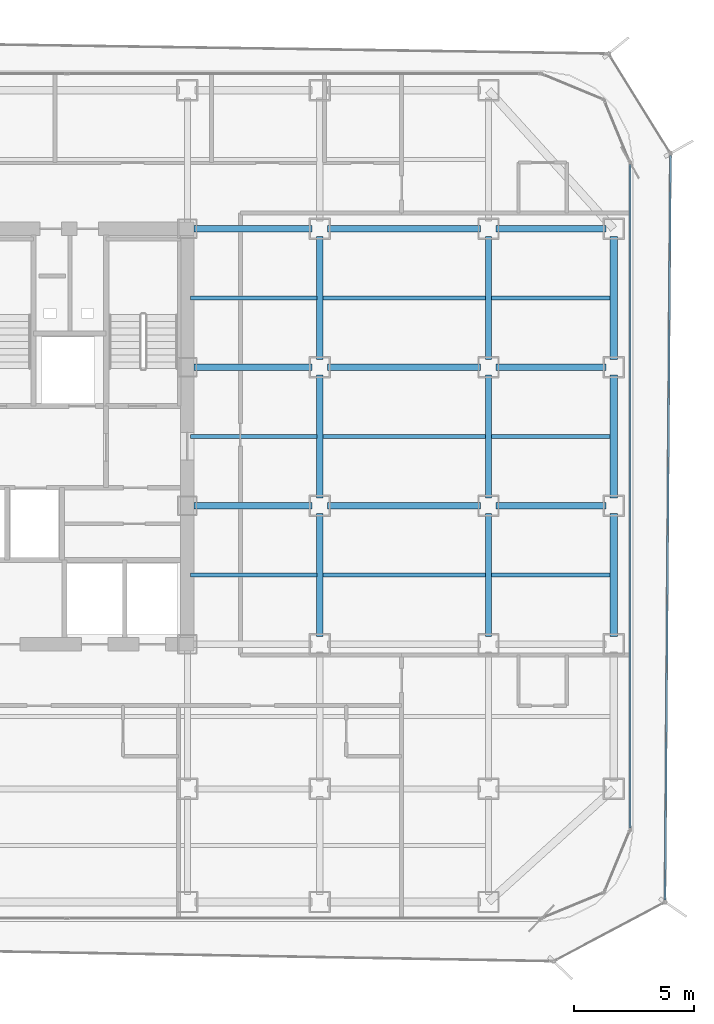
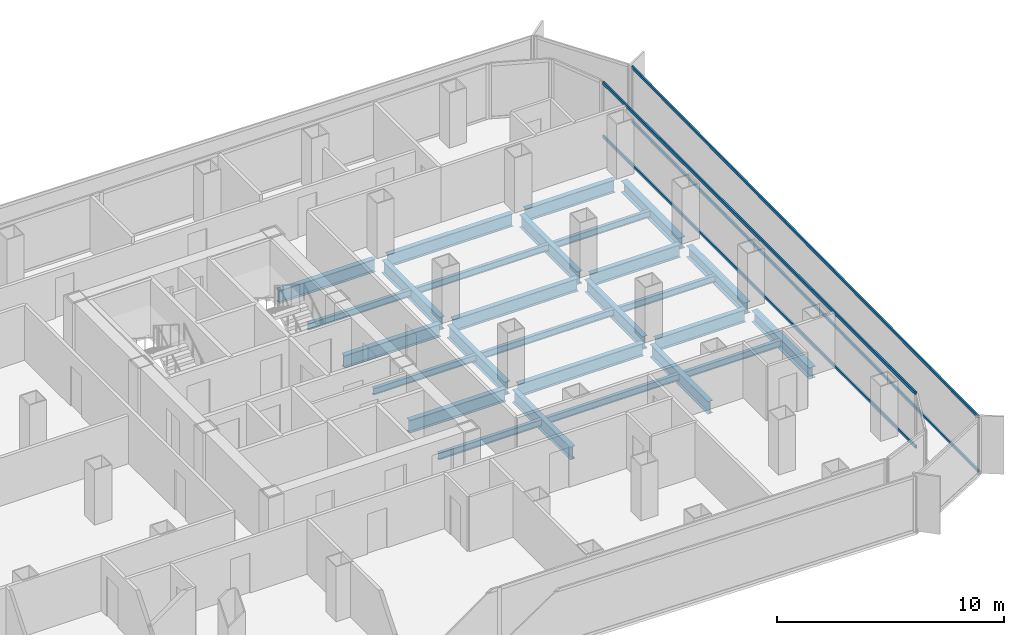
# One storey, part 9 of 21: 27 beams, 4 members, 2 elements without a shape of their own.
"""IFC4 building model written with IfcOpenShell, lengths in metres."""

from ifc_helpers import new_model, si_unit, direction, frame, origin, origin_2d, place, context, subcontext, project, spatial, hollow_rectangle, i_section, extrude, source, transform, mapped, material, layer, layer_set, material_profile, profile_set, type_object, element, aggregate, save


model = new_model("IFC4")

# Units and contexts
model_context = context("Model", 3, precision=1e-05, world=origin(), true_north=direction((0.0, 1.0)))
body_context = subcontext(model_context, "Body", "Model", "MODEL_VIEW")
ifc_project = project(units=[si_unit("LENGTHUNIT", "METRE"), si_unit("AREAUNIT", "SQUARE_METRE"), si_unit("VOLUMEUNIT", "CUBIC_METRE"), si_unit("PLANEANGLEUNIT", "RADIAN"), si_unit("MASSUNIT", "GRAM", prefix="KILO")], contexts=[model_context])

# Site, building, storey
site_placement = place(None, origin())
site = spatial("IfcSite", under=ifc_project, at=site_placement, CompositionType="ELEMENT")
building_placement = place(site_placement, origin())
building = spatial("IfcBuilding", under=site, at=building_placement, Name="Kolveth Station Tower", CompositionType="ELEMENT")
storey_placement = place(building_placement, frame((0.0, 0.0, 127.89990234375)))
storey = spatial("IfcBuildingStorey", under=building, at=storey_placement, Name="L35", CompositionType="ELEMENT", Elevation=127.89990234375)

# Beams
ifc_material_1 = material(Name="Steel S355", Category="steel")
ifc_material_profile_1 = material_profile(ifc_material_1, i_section(OverallWidth=0.323974609375, OverallDepth=0.611083984375, WebThickness=0.0126953125, FlangeThickness=0.01904296875, at=origin_2d()), Name="W610x155")
ifc_profile_set_1 = profile_set([ifc_material_profile_1], Name="Steel S355")
beam_type_1 = type_object("IfcBeamType", Name="Beam_SP2", PredefinedType="SPANDREL", material=ifc_profile_set_1)
shared_shape_1 = source(origin(), body_context, "Body", "SweptSolid", [
    extrude(i_section(OverallWidth=0.323974609375, OverallDepth=0.611083984375, WebThickness=0.0126953125, FlangeThickness=0.01904296875, at=origin_2d()), origin(), (0.0, 0.0, 1.0), 5.10986328125),
])
for number, where, z_axis, x_axis, name in (
    (1, (46.199951171875, 11.820068359375, -0.555419921875), (0.0, 1.0, 0.0), (-1.0, 0.0, 0.0), "L35 Perimeter Spandrel BM-L35-PE-2"),
    (2, (46.199951171875, 17.570068359375, -0.555419921875), (0.0, 1.0, 0.0), (-1.0, 0.0, 0.0), "L35 Perimeter Spandrel BM-L35-PE-3"),
    (3, (46.199951171875, 23.320068359375, -0.555419921875), (0.0, 1.0, 0.0), (-1.0, 0.0, 0.0), "L35 Perimeter Spandrel BM-L35-PE-4"),
):
    element("IfcBeam", number, at=place(storey_placement, frame(where, z_axis=z_axis, x_axis=x_axis)), inside=storey, type_object=beam_type_1, Name=name, PredefinedType="SPANDREL", context=body_context, shape_type="MappedRepresentation", body=[
        mapped(shared_shape_1, transform((0.0, 0.0, 0.0), x_axis=(1.0, 0.0, 0.0), y_axis=(0.0, 1.0, 0.0), z_axis=(0.0, 0.0, 1.0), scale=1.0)),
    ])
ifc_material_profile_2 = material_profile(ifc_material_1, i_section(OverallWidth=0.25390625, OverallDepth=0.68798828125, WebThickness=0.01318359375, FlangeThickness=0.02099609375, at=origin_2d()), Name="W690x152")
ifc_profile_set_2 = profile_set([ifc_material_profile_2], Name="Steel S355")
beam_type_2 = type_object("IfcBeamType", Name="Beam_B4", PredefinedType="BEAM", material=ifc_profile_set_2)
shared_shape_2 = source(origin(), body_context, "Body", "SweptSolid", [
    extrude(i_section(OverallWidth=0.25390625, OverallDepth=0.68798828125, WebThickness=0.01318359375, FlangeThickness=0.02099609375, at=origin_2d()), origin(), (0.0, 0.0, 1.0), 4.559814453125),
])
for number, where, z_axis, x_axis, name in (
    (4, (41.320068359375, 17.25, -0.593994140625), (1.0, 0.0, 0.0), (0.0, 1.0, 0.0), "L35 Primary Girder BM-L35-GY172-7"),
    (5, (41.320068359375, 23.0, -0.593994140625), (1.0, 0.0, 0.0), (0.0, 1.0, 0.0), "L35 Primary Girder BM-L35-GY230-7"),
    (6, (41.320068359375, 28.75, -0.593994140625), (1.0, 0.0, 0.0), (0.0, 1.0, 0.0), "L35 Primary Girder BM-L35-GY287-7"),
):
    element("IfcBeam", number, at=place(storey_placement, frame(where, z_axis=z_axis, x_axis=x_axis)), inside=storey, type_object=beam_type_2, Name=name, PredefinedType="BEAM", context=body_context, shape_type="MappedRepresentation", body=[
        mapped(shared_shape_2, transform((0.0, 0.0, 0.0), x_axis=(1.0, 0.0, 0.0), y_axis=(0.0, 1.0, 0.0), z_axis=(0.0, 0.0, 1.0), scale=1.0)),
    ])
shared_shape_3 = source(origin(), body_context, "Body", "SweptSolid", [
    extrude(i_section(OverallWidth=0.25390625, OverallDepth=0.68798828125, WebThickness=0.01318359375, FlangeThickness=0.02099609375, at=origin_2d()), origin(), (0.0, 0.0, 1.0), 6.35986328125),
])
for number, where, z_axis, x_axis, name in (
    (7, (34.320068359375, 17.25, -0.593994140625), (1.0, 0.0, 0.0), (0.0, 1.0, 0.0), "L35 Primary Girder BM-L35-GY172-6"),
    (8, (34.320068359375, 23.0, -0.593994140625), (1.0, 0.0, 0.0), (0.0, 1.0, 0.0), "L35 Primary Girder BM-L35-GY230-6"),
    (9, (34.320068359375, 28.75, -0.593994140625), (1.0, 0.0, 0.0), (0.0, 1.0, 0.0), "L35 Primary Girder BM-L35-GY287-6"),
):
    element("IfcBeam", number, at=place(storey_placement, frame(where, z_axis=z_axis, x_axis=x_axis)), inside=storey, type_object=beam_type_2, Name=name, PredefinedType="BEAM", context=body_context, shape_type="MappedRepresentation", body=[
        mapped(shared_shape_3, transform((0.0, 0.0, 0.0), x_axis=(1.0, 0.0, 0.0), y_axis=(0.0, 1.0, 0.0), z_axis=(0.0, 0.0, 1.0), scale=1.0)),
    ])
shared_shape_4 = source(origin(), body_context, "Body", "SweptSolid", [
    extrude(i_section(OverallWidth=0.25390625, OverallDepth=0.68798828125, WebThickness=0.01318359375, FlangeThickness=0.02099609375, at=origin_2d()), origin(), (0.0, 0.0, 1.0), 4.89990234375),
])
for number, where, z_axis, x_axis, name in (
    (10, (28.780029296875, 17.25, -0.593994140625), (1.0, 0.0, 0.0), (0.0, 1.0, 0.0), "L35 Primary Girder BM-L35-GY172-5"),
    (11, (28.780029296875, 23.0, -0.593994140625), (1.0, 0.0, 0.0), (0.0, 1.0, 0.0), "L35 Primary Girder BM-L35-GY230-5"),
    (12, (28.780029296875, 28.75, -0.593994140625), (1.0, 0.0, 0.0), (0.0, 1.0, 0.0), "L35 Primary Girder BM-L35-GY287-5"),
):
    element("IfcBeam", number, at=place(storey_placement, frame(where, z_axis=z_axis, x_axis=x_axis)), inside=storey, type_object=beam_type_2, Name=name, PredefinedType="BEAM", context=body_context, shape_type="MappedRepresentation", body=[
        mapped(shared_shape_4, transform((0.0, 0.0, 0.0), x_axis=(1.0, 0.0, 0.0), y_axis=(0.0, 1.0, 0.0), z_axis=(0.0, 0.0, 1.0), scale=1.0)),
    ])
shared_shape_5 = source(origin(), body_context, "Body", "SweptSolid", [
    extrude(i_section(OverallWidth=0.25390625, OverallDepth=0.68798828125, WebThickness=0.01318359375, FlangeThickness=0.02099609375, at=origin_2d()), origin(), (0.0, 0.0, 1.0), 5.10986328125),
])
for number, where, z_axis, x_axis, name in (
    (13, (34.0, 11.820068359375, -0.593994140625), (0.0, 1.0, 0.0), (-1.0, 0.0, 0.0), "L35 Primary Girder BM-L35-GX340-3"),
    (14, (34.0, 17.570068359375, -0.593994140625), (0.0, 1.0, 0.0), (-1.0, 0.0, 0.0), "L35 Primary Girder BM-L35-GX340-4"),
    (15, (34.0, 23.320068359375, -0.593994140625), (0.0, 1.0, 0.0), (-1.0, 0.0, 0.0), "L35 Primary Girder BM-L35-GX340-5"),
    (16, (41.0, 11.820068359375, -0.593994140625), (0.0, 1.0, 0.0), (-1.0, 0.0, 0.0), "L35 Primary Girder BM-L35-GX410-3"),
    (17, (41.0, 17.570068359375, -0.593994140625), (0.0, 1.0, 0.0), (-1.0, 0.0, 0.0), "L35 Primary Girder BM-L35-GX410-4"),
    (18, (41.0, 23.320068359375, -0.593994140625), (0.0, 1.0, 0.0), (-1.0, 0.0, 0.0), "L35 Primary Girder BM-L35-GX410-5"),
):
    element("IfcBeam", number, at=place(storey_placement, frame(where, z_axis=z_axis, x_axis=x_axis)), inside=storey, type_object=beam_type_2, Name=name, PredefinedType="BEAM", context=body_context, shape_type="MappedRepresentation", body=[
        mapped(shared_shape_5, transform((0.0, 0.0, 0.0), x_axis=(1.0, 0.0, 0.0), y_axis=(0.0, 1.0, 0.0), z_axis=(0.0, 0.0, 1.0), scale=1.0)),
    ])
ifc_material_profile_3 = material_profile(ifc_material_1, i_section(OverallWidth=0.1708984375, OverallDepth=0.35205078125, WebThickness=0.0068359375, FlangeThickness=0.009765625, at=origin_2d()), Name="W360x44")
ifc_profile_set_3 = profile_set([ifc_material_profile_3], Name="Steel S355")
beam_type_3 = type_object("IfcBeamType", Name="Beam_J2", PredefinedType="JOIST", material=ifc_profile_set_3)
shared_shape_6 = source(origin(), body_context, "Body", "SweptSolid", [
    extrude(i_section(OverallWidth=0.1708984375, OverallDepth=0.35205078125, WebThickness=0.0068359375, FlangeThickness=0.009765625, at=origin_2d()), origin(), (0.0, 0.0, 1.0), 4.9150390625),
])
for number, where, z_axis, x_axis, name in (
    (19, (41.125, 14.375, -0.42578125), (1.0, 0.0, 0.0), (0.0, 1.0, 0.0), "L35 Secondary Joist JST-L35-7-3"),
    (20, (41.125, 20.125, -0.42578125), (1.0, 0.0, 0.0), (0.0, 1.0, 0.0), "L35 Secondary Joist JST-L35-7-4"),
    (21, (41.125, 25.875, -0.42578125), (1.0, 0.0, 0.0), (0.0, 1.0, 0.0), "L35 Secondary Joist JST-L35-7-5"),
):
    element("IfcBeam", number, at=place(storey_placement, frame(where, z_axis=z_axis, x_axis=x_axis)), inside=storey, type_object=beam_type_3, Name=name, PredefinedType="JOIST", context=body_context, shape_type="MappedRepresentation", body=[
        mapped(shared_shape_6, transform((0.0, 0.0, 0.0), x_axis=(1.0, 0.0, 0.0), y_axis=(0.0, 1.0, 0.0), z_axis=(0.0, 0.0, 1.0), scale=1.0)),
    ])
shared_shape_7 = source(origin(), body_context, "Body", "SweptSolid", [
    extrude(i_section(OverallWidth=0.1708984375, OverallDepth=0.35205078125, WebThickness=0.0068359375, FlangeThickness=0.009765625, at=origin_2d()), origin(), (0.0, 0.0, 1.0), 6.75),
])
for number, where, z_axis, x_axis, name in (
    (22, (34.125, 14.375, -0.42578125), (1.0, 0.0, 0.0), (0.0, 1.0, 0.0), "L35 Secondary Joist JST-L35-6-3"),
    (23, (34.125, 20.125, -0.42578125), (1.0, 0.0, 0.0), (0.0, 1.0, 0.0), "L35 Secondary Joist JST-L35-6-4"),
    (24, (34.125, 25.875, -0.42578125), (1.0, 0.0, 0.0), (0.0, 1.0, 0.0), "L35 Secondary Joist JST-L35-6-5"),
):
    element("IfcBeam", number, at=place(storey_placement, frame(where, z_axis=z_axis, x_axis=x_axis)), inside=storey, type_object=beam_type_3, Name=name, PredefinedType="JOIST", context=body_context, shape_type="MappedRepresentation", body=[
        mapped(shared_shape_7, transform((0.0, 0.0, 0.0), x_axis=(1.0, 0.0, 0.0), y_axis=(0.0, 1.0, 0.0), z_axis=(0.0, 0.0, 1.0), scale=1.0)),
    ])
shared_shape_8 = source(origin(), body_context, "Body", "SweptSolid", [
    extrude(i_section(OverallWidth=0.1708984375, OverallDepth=0.35205078125, WebThickness=0.0068359375, FlangeThickness=0.009765625, at=origin_2d()), origin(), (0.0, 0.0, 1.0), 5.25),
])
for number, where, z_axis, x_axis, name in (
    (25, (28.625, 14.375, -0.42578125), (1.0, 0.0, 0.0), (0.0, 1.0, 0.0), "L35 Secondary Joist JST-L35-5-3"),
    (26, (28.625, 20.125, -0.42578125), (1.0, 0.0, 0.0), (0.0, 1.0, 0.0), "L35 Secondary Joist JST-L35-5-4"),
    (27, (28.625, 25.875, -0.42578125), (1.0, 0.0, 0.0), (0.0, 1.0, 0.0), "L35 Secondary Joist JST-L35-5-5"),
):
    element("IfcBeam", number, at=place(storey_placement, frame(where, z_axis=z_axis, x_axis=x_axis)), inside=storey, type_object=beam_type_3, Name=name, PredefinedType="JOIST", context=body_context, shape_type="MappedRepresentation", body=[
        mapped(shared_shape_8, transform((0.0, 0.0, 0.0), x_axis=(1.0, 0.0, 0.0), y_axis=(0.0, 1.0, 0.0), z_axis=(0.0, 0.0, 1.0), scale=1.0)),
    ])

# Curtain wall, members
ifc_material_2 = material(Name="Aluminium 6063-T6 and low-E dark glass", Category="aluminium")
ifc_layer_1 = layer(ifc_material_2, 0.18994140625)
ifc_layer_set_1 = layer_set([ifc_layer_1], Name="Aluminium 6063-T6 and low-E dark glass")
curtain_wall_type_1 = type_object("IfcCurtainWallType", Name="CurtainWall_CW-Z2", PredefinedType="NOTDEFINED", material=ifc_layer_set_1)
curtain_wall_1_placement = place(storey_placement, origin())
curtain_wall_1 = element("IfcCurtainWall", 28, at=curtain_wall_1_placement, inside=storey, type_object=curtain_wall_type_1, Name="L35 Inner Thermal Curtain Wall 3", PredefinedType="NOTDEFINED")
ifc_material_3 = material(Name="Black anodized aluminium 6063-T6", Category="aluminium")
ifc_material_profile_4 = material_profile(ifc_material_3, hollow_rectangle(XDim=0.080078125, YDim=0.169921875, WallThickness=0.0048828125, at=origin_2d()), Name="ALU-80x170x5")
ifc_profile_set_4 = profile_set([ifc_material_profile_4], Name="Black anodized aluminium 6063-T6")
member_type_1 = type_object("IfcMemberType", Name="Transom_TR2", PredefinedType="USERDEFINED", material=ifc_profile_set_4)
shared_shape_9 = source(origin(), body_context, "Body", "SweptSolid", [
    extrude(hollow_rectangle(XDim=0.080078125, YDim=0.169921875, WallThickness=0.0048828125, at=origin_2d()), origin(), (0.0, 0.0, 1.0), 27.5400390625),
])
member_1_placement = place(storey_placement, frame((46.8798828125, 3.8798828125, 0.0400390625), z_axis=(0.0, 1.0, 0.0), x_axis=(-1.0, 0.0, 0.0)))
member_1 = element("IfcMember", 29, at=member_1_placement, type_object=member_type_1, Name="CW-Z2 transom 1.1", ObjectType="TRANSOM", PredefinedType="USERDEFINED", context=body_context, shape_type="MappedRepresentation", body=[
    mapped(shared_shape_9, transform((0.0, 0.0, 0.0), x_axis=(1.0, 0.0, 0.0), y_axis=(0.0, 1.0, 0.0), z_axis=(0.0, 0.0, 1.0), scale=1.0)),
])
member_2_placement = place(storey_placement, frame((46.8798828125, 3.8798828125, 2.91015625), z_axis=(0.0, 1.0, 0.0), x_axis=(-1.0, 0.0, 0.0)))
member_2 = element("IfcMember", 30, at=member_2_placement, type_object=member_type_1, Name="CW-Z2 transom 1.2", ObjectType="TRANSOM", PredefinedType="USERDEFINED", context=body_context, shape_type="MappedRepresentation", body=[
    mapped(shared_shape_9, transform((0.0, 0.0, 0.0), x_axis=(1.0, 0.0, 0.0), y_axis=(0.0, 1.0, 0.0), z_axis=(0.0, 0.0, 1.0), scale=1.0)),
])
aggregate(curtain_wall_1, [member_1, member_2])

ifc_material_4 = material(Name="Black anodized aluminium 6063-T6 and dark solar glass", Category="aluminium")
ifc_layer_2 = layer(ifc_material_4, 0.159912109375)
ifc_layer_set_2 = layer_set([ifc_layer_2], Name="Black anodized aluminium 6063-T6 and dark solar glass")
curtain_wall_type_2 = type_object("IfcCurtainWallType", Name="OUTER SKIN CW-OS", PredefinedType="NOTDEFINED", material=ifc_layer_set_2)
curtain_wall_2_placement = place(storey_placement, origin())
curtain_wall_2 = element("IfcCurtainWall", 31, at=curtain_wall_2_placement, inside=storey, type_object=curtain_wall_type_2, Name="L35 Outer Ventilated Skin Curtain Wall 2", PredefinedType="NOTDEFINED")
ifc_material_profile_5 = material_profile(ifc_material_3, hollow_rectangle(XDim=0.080078125, YDim=0.14990234375, WallThickness=0.0048828125, at=origin_2d()), Name="ALU-80x150x5")
ifc_profile_set_5 = profile_set([ifc_material_profile_5], Name="Black anodized aluminium 6063-T6")
member_type_2 = type_object("IfcMemberType", Name="Transom_TR-OS", PredefinedType="USERDEFINED", material=ifc_profile_set_5)
shared_shape_10 = source(origin(), body_context, "Body", "SweptSolid", [
    extrude(hollow_rectangle(XDim=0.080078125, YDim=0.14990234375, WallThickness=0.0048828125, at=origin_2d()), origin(), (0.0, 0.0, 1.0), 30.898193359375),
])
member_3_placement = place(storey_placement, frame((48.333984375, 0.888427734375, 0.0400390625), z_axis=(0.00727721809, 0.999973520698, 0.0), x_axis=(-0.999973520698, 0.00727721809, 0.0)))
member_3 = element("IfcMember", 32, at=member_3_placement, type_object=member_type_2, Name="CW-OS transom 1.1", ObjectType="TRANSOM", PredefinedType="USERDEFINED", context=body_context, shape_type="MappedRepresentation", body=[
    mapped(shared_shape_10, transform((0.0, 0.0, 0.0), x_axis=(1.0, 0.0, 0.0), y_axis=(0.0, 1.0, 0.0), z_axis=(0.0, 0.0, 1.0), scale=1.0)),
])
member_4_placement = place(storey_placement, frame((48.333984375, 0.888427734375, 2.9501953125), z_axis=(0.00727721809, 0.999973520698, 0.0), x_axis=(-0.999973520698, 0.00727721809, 0.0)))
member_4 = element("IfcMember", 33, at=member_4_placement, type_object=member_type_2, Name="CW-OS transom 1.2", ObjectType="TRANSOM", PredefinedType="USERDEFINED", context=body_context, shape_type="MappedRepresentation", body=[
    mapped(shared_shape_10, transform((0.0, 0.0, 0.0), x_axis=(1.0, 0.0, 0.0), y_axis=(0.0, 1.0, 0.0), z_axis=(0.0, 0.0, 1.0), scale=1.0)),
])
aggregate(curtain_wall_2, [member_3, member_4])

save(model, "model.ifc")
